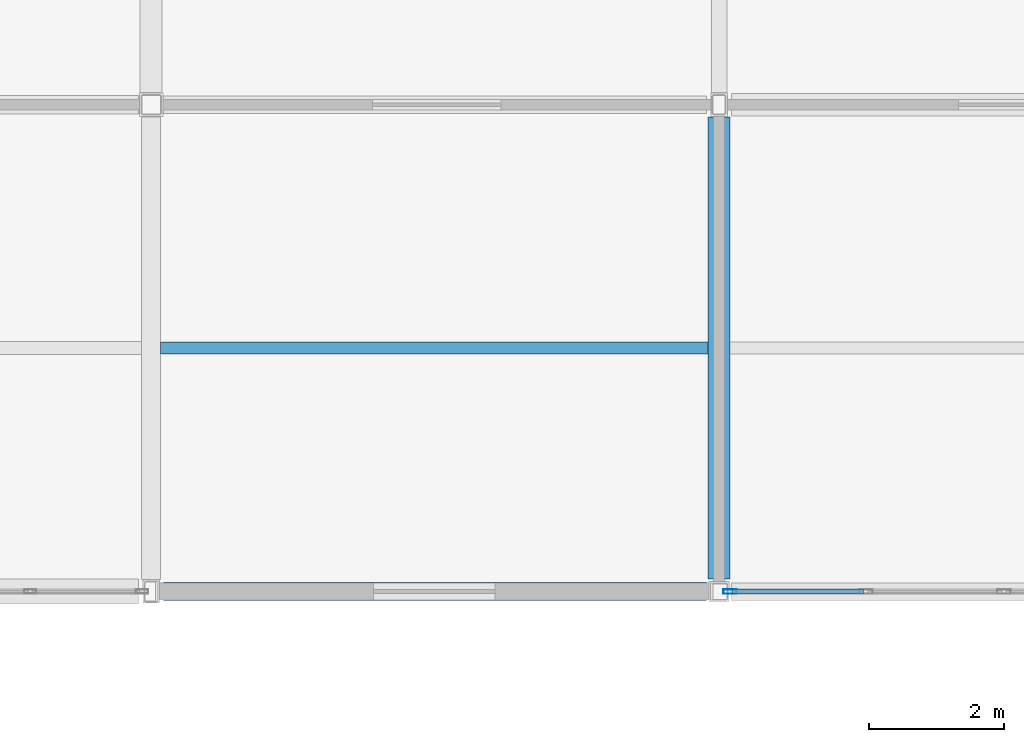
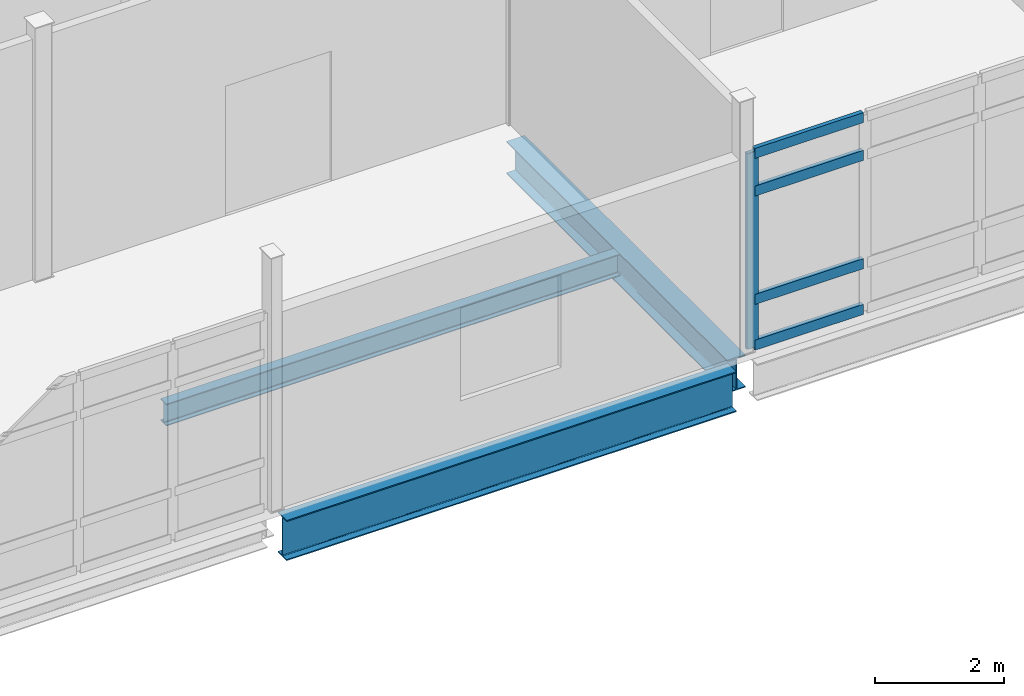
# One storey, part 59 of 153: 5 members, 3 beams, 1 element without a shape of its own.
"""IFC4 building model written with IfcOpenShell, lengths in metres."""

import ifcopenshell
import ifcopenshell.guid

model = None  # the IFC model being written
_history = None  # IfcOwnerHistory: only IFC2X3 demands one
_inside = {}  # id of a spatial element -> (the spatial element, [elements in it])
_under = {}  # id of a project, library or spatial element -> (it, [spatial elements below it])
_declared = {}  # id of a project -> (the project, [libraries it declares])
_typed = {}  # id of a type object -> (the type object, [elements of that type])
_made_of = {}  # id of a material, layer set ... -> (it, [elements and type objects made of it])


def new_model(schema):
    """Start an empty IFC model of exactly this schema.

    Asked for "IFC4X3", IfcOpenShell would pick the latest addendum, in which some entities
    have other attributes; the version numbers below select the first issue.
    IFC2X3 requires an IfcOwnerHistory on every rooted entity: one is made here for all.
    """
    global model, _history
    if schema == "IFC4X3":
        model = ifcopenshell.file(schema_version=(4, 3, 0, 0))
    else:
        model = ifcopenshell.file(schema=schema)
    _inside.clear()
    _under.clear()
    _declared.clear()
    _typed.clear()
    _made_of.clear()
    _history = None
    if model.schema == "IFC2X3":
        org = make("IfcOrganization", Name="unknown")
        user = make(
            "IfcPersonAndOrganization",
            ThePerson=make("IfcPerson", FamilyName="unknown"),
            TheOrganization=org,
        )
        app = make(
            "IfcApplication",
            ApplicationDeveloper=org,
            Version="unknown",
            ApplicationFullName="unknown",
            ApplicationIdentifier="unknown",
        )
        _history = make(
            "IfcOwnerHistory",
            OwningUser=user,
            OwningApplication=app,
            ChangeAction="ADDED",
            CreationDate=0,
        )
    return model


def make(cls, **values):
    """One entity of the class cls with the attributes given. An attribute that is None is left unset."""
    return model.create_entity(
        cls, **{name: value for name, value in values.items() if value is not None}
    )


def rooted(cls, **values):
    """An entity with a GlobalId (a new one), such as an element, a storey or a relation."""
    return make(cls, GlobalId=ifcopenshell.guid.new(), OwnerHistory=_history, **values)


def si_unit(unit_type, name, prefix=None):
    """IfcSIUnit, for example si_unit("LENGTHUNIT", "METRE", prefix="MILLI")."""
    return make("IfcSIUnit", UnitType=unit_type, Prefix=prefix, Name=name)


def assignment(units):
    """IfcUnitAssignment: the units of a project."""
    return None if units is None else make("IfcUnitAssignment", Units=units)


def point(xyz):
    """IfcCartesianPoint."""
    return None if xyz is None else make("IfcCartesianPoint", Coordinates=xyz)


def direction(xyz):
    """IfcDirection."""
    return None if xyz is None else make("IfcDirection", DirectionRatios=xyz)


def frame(location, z_axis=None, x_axis=None):
    """IfcAxis2Placement3D, a coordinate frame: its origin and axes. An axis left out is left unset."""
    return make(
        "IfcAxis2Placement3D",
        Location=point(location),
        Axis=direction(z_axis),
        RefDirection=direction(x_axis),
    )


def frame_2d(location, x_axis=None):
    """IfcAxis2Placement2D, a coordinate frame in the plane: its origin and x axis."""
    return make(
        "IfcAxis2Placement2D", Location=point(location), RefDirection=direction(x_axis)
    )


def origin():
    """The frame at (0, 0, 0) with its axes left unset."""
    return frame((0.0, 0.0, 0.0))


def origin_2d():
    """The frame at (0, 0) in the plane with its x axis left unset."""
    return frame_2d((0.0, 0.0))


def place(relative_to, where):
    """IfcLocalPlacement: puts the frame where relative to a parent placement (None: the world)."""
    return make(
        "IfcLocalPlacement", PlacementRelTo=relative_to, RelativePlacement=where
    )


def context(
    kind, dimensions, precision=None, world=None, true_north=None, identifier=None
):
    """IfcGeometricRepresentationContext, for example the 3D "Model" context."""
    return make(
        "IfcGeometricRepresentationContext",
        ContextIdentifier=identifier,
        ContextType=kind,
        CoordinateSpaceDimension=dimensions,
        Precision=precision,
        WorldCoordinateSystem=world,
        TrueNorth=true_north,
    )


def subcontext(parent, identifier, kind, view, scale=None):
    """IfcGeometricRepresentationSubContext, for example "Body" below "Model"."""
    return make(
        "IfcGeometricRepresentationSubContext",
        ContextIdentifier=identifier,
        ContextType=kind,
        ParentContext=parent,
        TargetScale=scale,
        TargetView=view,
    )


def project(units=None, contexts=None):
    """IfcProject with its units and contexts."""
    return rooted(
        "IfcProject",
        Name="project",
        RepresentationContexts=contexts,
        UnitsInContext=assignment(units),
    )


def spatial(cls, under=None, at=None, **own):
    """A site, building, storey or space (cls), placed at a placement, below another one or the project."""
    s = rooted(cls, ObjectPlacement=at, **own)
    if under is not None:
        _under.setdefault(under.id(), (under, []))[1].append(s)
    return s


def profile(cls, at=None, kind="AREA", **sizes):
    """A parametric profile (cls). Its sizes go by their IFC names, for example OverallWidth=200.0."""
    return make(cls, ProfileType=kind, Position=at, **sizes)


def hollow_rectangle(**sizes):
    """IfcRectangleHollowProfileDef."""
    return profile("IfcRectangleHollowProfileDef", **sizes)


def i_section(**sizes):
    """IfcIShapeProfileDef."""
    return profile("IfcIShapeProfileDef", **sizes)


def extrude(swept, where, along, depth):
    """IfcExtrudedAreaSolid: the profile swept, set in the frame where, extruded along a direction by depth."""
    return make(
        "IfcExtrudedAreaSolid",
        SweptArea=swept,
        Position=where,
        ExtrudedDirection=direction(along),
        Depth=depth,
    )


def shape(context_of_items, identifier, shape_type, items):
    """IfcShapeRepresentation: the items that make up one representation, for example the "Body"."""
    return make(
        "IfcShapeRepresentation",
        ContextOfItems=context_of_items,
        RepresentationIdentifier=identifier,
        RepresentationType=shape_type,
        Items=items,
    )


def material(Name=None, Category=None):
    """IfcMaterial."""
    return make("IfcMaterial", Name=Name, Category=Category)


def layer(
    of_material, thickness, ventilated=None, Name=None, Category=None, Priority=None
):
    """IfcMaterialLayer: one layer of a wall or slab, of a material (None: an air gap)."""
    return make(
        "IfcMaterialLayer",
        Material=of_material,
        LayerThickness=thickness,
        IsVentilated=ventilated,
        Name=Name,
        Category=Category,
        Priority=Priority,
    )


def layer_set(layers, Name=None):
    """IfcMaterialLayerSet."""
    return make("IfcMaterialLayerSet", MaterialLayers=layers, LayerSetName=Name)


def material_profile(
    of_material, cross_section, Name=None, Category=None, Priority=None
):
    """IfcMaterialProfile: a cross section and its material."""
    return make(
        "IfcMaterialProfile",
        Name=Name,
        Material=of_material,
        Profile=cross_section,
        Priority=Priority,
        Category=Category,
    )


def profile_set(profiles, Name=None, composite=None):
    """IfcMaterialProfileSet."""
    return make(
        "IfcMaterialProfileSet",
        Name=Name,
        MaterialProfiles=profiles,
        CompositeProfile=composite,
    )


def made_of(thing, what):
    """Note that an element or type object is made of a material, layer set ...; save() writes the relation."""
    if what is not None:
        _made_of.setdefault(what.id(), (what, []))[1].append(thing)
    return thing


def type_object(cls, material=None, **own):
    """A type object (cls), such as IfcWallType, which elements share."""
    return made_of(rooted(cls, **own), material)


def element(
    cls,
    number,
    at=None,
    inside=None,
    cuts=None,
    type_object=None,
    material=None,
    context=None,
    identifier="Body",
    shape_type=None,
    held_by="IfcProductDefinitionShape",
    body=None,
    shapes=None,
    **own,
):
    """One element of the class cls, such as IfcWall. Its Tag is "e" and its number.

    at: its placement. inside: the storey or other place that contains it. cuts: it is an
    opening in that element (IfcRelVoidsElement). A single representation is given by context,
    identifier, shape_type and body (its items); several are given by shapes. held_by: the class
    of the entity that holds the representations. save() writes the other relations.
    """
    e = rooted(cls, Tag="e%d" % number, ObjectPlacement=at, **own)
    if body is not None:
        shapes = [shape(context, identifier, shape_type, body)]
    if shapes is not None:
        e.Representation = make(held_by, Representations=shapes)
    if inside is not None:
        _inside.setdefault(inside.id(), (inside, []))[1].append(e)
    if cuts is not None:
        rooted(
            "IfcRelVoidsElement", RelatingBuildingElement=cuts, RelatedOpeningElement=e
        )
    if type_object is not None:
        _typed.setdefault(type_object.id(), (type_object, []))[1].append(e)
    return made_of(e, material)


def aggregate(whole, parts):
    """IfcRelAggregates: a whole, such as a stair, and the parts it consists of."""
    return rooted("IfcRelAggregates", RelatingObject=whole, RelatedObjects=parts)


def save(model, path):
    """Write the relations noted so far, then the file.

    IfcRelAggregates (storeys below a building ...), IfcRelContainedInSpatialStructure (elements
    in a storey), IfcRelDefinesByType, IfcRelAssociatesMaterial and IfcRelDeclares: one each for
    every whole, place, type object, material and project.
    """
    for whole, parts in _under.values():
        aggregate(whole, parts)
    for where, things in _inside.values():
        rooted(
            "IfcRelContainedInSpatialStructure",
            RelatedElements=things,
            RelatingStructure=where,
        )
    for kind, things in _typed.values():
        rooted("IfcRelDefinesByType", RelatedObjects=things, RelatingType=kind)
    for what, things in _made_of.values():
        rooted("IfcRelAssociatesMaterial", RelatedObjects=things, RelatingMaterial=what)
    for by, libraries in _declared.values():
        rooted("IfcRelDeclares", RelatingContext=by, RelatedDefinitions=libraries)
    model.write(path)


model = new_model("IFC4")

# Units and contexts
model_context = context("Model", 3, precision=1e-05, world=origin(), true_north=direction((0.0, 1.0)))
body_context = subcontext(model_context, "Body", "Model", "MODEL_VIEW")
ifc_project = project(units=[si_unit("LENGTHUNIT", "METRE"), si_unit("AREAUNIT", "SQUARE_METRE"), si_unit("VOLUMEUNIT", "CUBIC_METRE"), si_unit("PLANEANGLEUNIT", "RADIAN"), si_unit("MASSUNIT", "GRAM", prefix="KILO")], contexts=[model_context])

# Site, building, storey
site_placement = place(None, origin())
site = spatial("IfcSite", under=ifc_project, at=site_placement, CompositionType="ELEMENT")
building_placement = place(site_placement, origin())
building = spatial("IfcBuilding", under=site, at=building_placement, Name="Calvrana Isthmian Art Gallery", CompositionType="ELEMENT")
storey_placement = place(building_placement, frame((0.0, 0.0, 10.199951171875)))
storey = spatial("IfcBuildingStorey", under=building, at=storey_placement, Name="L02", CompositionType="ELEMENT", Elevation=10.199951171875)

# Beams
ifc_material_1 = material(Name="Steel ASTM A992 Gr 50", Category="steel")
ifc_material_profile_1 = material_profile(ifc_material_1, i_section(OverallWidth=0.324951171875, OverallDepth=0.612060546875, WebThickness=0.0126953125, FlangeThickness=0.01904296875, FilletRadius=0.02197265625, at=origin_2d()), Name="W24X104")
ifc_profile_set_1 = profile_set([ifc_material_profile_1], Name="Steel ASTM A992 Gr 50")
beam_type_1 = type_object("IfcBeamType", Name="BM-G-W24X104", PredefinedType="BEAM", material=ifc_profile_set_1)
beam_1_placement = place(storey_placement, frame((30.0, 98.58642578125, -0.571044921875), z_axis=(0.0, 1.0, 0.0), x_axis=(-1.0, 0.0, 0.0)))
element("IfcBeam", 1, at=beam_1_placement, inside=storey, type_object=beam_type_1, Name="Girder Y L02 05/N-O", PredefinedType="BEAM", context=body_context, shape_type="SweptSolid", body=[
    extrude(i_section(OverallWidth=0.324951171875, OverallDepth=0.612060546875, WebThickness=0.0126953125, FlangeThickness=0.01904296875, FilletRadius=0.02197265625, at=origin_2d()), origin(), (0.0, 0.0, 1.0), 6.835693359375),
])
ifc_material_profile_2 = material_profile(ifc_material_1, i_section(OverallWidth=0.26708984375, OverallDepth=0.761962890625, WebThickness=0.014404296875, FlangeThickness=0.021484375, FilletRadius=0.02490234375, at=origin_2d()), Name="W30X116")
ifc_profile_set_2 = profile_set([ifc_material_profile_2], Name="Steel ASTM A992 Gr 50")
beam_type_2 = type_object("IfcBeamType", Name="BM-G-W30X116", PredefinedType="BEAM", material=ifc_profile_set_2)
beam_2_placement = place(storey_placement, frame((21.783935546875, 98.39990234375, -0.64599609375), z_axis=(1.0, 0.0, 0.0), x_axis=(0.0, 1.0, 0.0)))
element("IfcBeam", 2, at=beam_2_placement, inside=storey, type_object=beam_type_2, Name="Girder X L02 04-05/N", PredefinedType="BEAM", context=body_context, shape_type="SweptSolid", body=[
    extrude(i_section(OverallWidth=0.26708984375, OverallDepth=0.761962890625, WebThickness=0.014404296875, FlangeThickness=0.021484375, FilletRadius=0.02490234375, at=origin_2d()), origin(), (0.0, 0.0, 1.0), 8.029541015625),
])
ifc_material_profile_3 = material_profile(ifc_material_1, i_section(OverallWidth=0.179931640625, OverallDepth=0.4140625, WebThickness=0.009765625, FlangeThickness=0.01611328125, FilletRadius=0.01806640625, at=origin_2d()), Name="W16X50")
ifc_profile_set_3 = profile_set([ifc_material_profile_3], Name="Steel ASTM A992 Gr 50")
beam_type_3 = type_object("IfcBeamType", Name="BM-J-W16X50", PredefinedType="JOIST", material=ifc_profile_set_3)
beam_3_placement = place(storey_placement, frame((21.739501953125, 102.0, -0.471923828125), z_axis=(1.0, 0.0, 0.0), x_axis=(0.0, 1.0, 0.0)))
element("IfcBeam", 3, at=beam_3_placement, inside=storey, type_object=beam_type_3, Name="Composite joist L02 bay 03-13", PredefinedType="JOIST", context=body_context, shape_type="SweptSolid", body=[
    extrude(i_section(OverallWidth=0.179931640625, OverallDepth=0.4140625, WebThickness=0.009765625, FlangeThickness=0.01611328125, FilletRadius=0.01806640625, at=origin_2d()), origin(), (0.0, 0.0, 1.0), 8.097900390625),
])

# Curtain wall, members
ifc_material_2 = material(Name="Anodized bronze aluminium 6063-T6", Category="aluminium")
ifc_layer = layer(ifc_material_2, 0.179931640625, Name="Anodized bronze aluminium 6063-T6")
ifc_layer_set = layer_set([ifc_layer], Name="Anodized bronze aluminium 6063-T6")
curtain_wall_type = type_object("IfcCurtainWallType", Name="CW-STICK-082X37", PredefinedType="NOTDEFINED", material=ifc_layer_set)
curtain_wall_placement = place(storey_placement, origin())
curtain_wall = element("IfcCurtainWall", 4, at=curtain_wall_placement, inside=storey, type_object=curtain_wall_type, Name="Curtain wall CW-159", PredefinedType="NOTDEFINED")
ifc_material_profile_4 = material_profile(ifc_material_2, hollow_rectangle(XDim=0.070068359375, YDim=0.199951171875, WallThickness=0.0048828125, at=origin_2d()), Name="CWM70X200")
ifc_profile_set_4 = profile_set([ifc_material_profile_4], Name="Anodized bronze aluminium 6063-T6")
member_type_1 = type_object("IfcMemberType", Name="CWM-CWM70X200", PredefinedType="MULLION", material=ifc_profile_set_4)
member_1_placement = place(storey_placement, frame((30.162109375, 98.39990234375, 0.0), z_axis=(0.0, 0.0, 1.0), x_axis=(0.0, -1.0, 0.0)))
member_1 = element("IfcMember", 5, at=member_1_placement, type_object=member_type_1, Name="CW-159 mullion 5", PredefinedType="MULLION", context=body_context, shape_type="SweptSolid", body=[
    extrude(hollow_rectangle(XDim=0.070068359375, YDim=0.199951171875, WallThickness=0.0048828125, at=origin_2d()), origin(), (0.0, 0.0, 1.0), 3.695068359375),
])
ifc_material_profile_5 = material_profile(ifc_material_2, hollow_rectangle(XDim=0.074951171875, YDim=0.18994140625, WallThickness=0.00439453125, at=origin_2d()), Name="CWT75X190")
ifc_profile_set_5 = profile_set([ifc_material_profile_5], Name="Anodized bronze aluminium 6063-T6")
member_type_2 = type_object("IfcMemberType", Name="CWT-CWT75X190", PredefinedType="USERDEFINED", material=ifc_profile_set_5)
member_2_placement = place(storey_placement, frame((32.134765625, 98.39990234375, 0.03759765625), z_axis=(-1.0, 0.0, 0.0), x_axis=(0.0, -1.0, 0.0)))
member_2 = element("IfcMember", 6, at=member_2_placement, type_object=member_type_2, Name="CW-159 transom 4.1", ObjectType="TRANSOM", PredefinedType="USERDEFINED", context=body_context, shape_type="SweptSolid", body=[
    extrude(hollow_rectangle(XDim=0.074951171875, YDim=0.18994140625, WallThickness=0.00439453125, at=origin_2d()), origin(), (0.0, 0.0, 1.0), 1.937744140625),
])
member_3_placement = place(storey_placement, frame((32.134765625, 98.39990234375, 0.900146484375), z_axis=(-1.0, 0.0, 0.0), x_axis=(0.0, -1.0, 0.0)))
member_3 = element("IfcMember", 7, at=member_3_placement, type_object=member_type_2, Name="CW-159 transom 4.2", ObjectType="TRANSOM", PredefinedType="USERDEFINED", context=body_context, shape_type="SweptSolid", body=[
    extrude(hollow_rectangle(XDim=0.074951171875, YDim=0.18994140625, WallThickness=0.00439453125, at=origin_2d()), origin(), (0.0, 0.0, 1.0), 1.937744140625),
])
member_4_placement = place(storey_placement, frame((32.134765625, 98.39990234375, 2.945068359375), z_axis=(-1.0, 0.0, 0.0), x_axis=(0.0, -1.0, 0.0)))
member_4 = element("IfcMember", 8, at=member_4_placement, type_object=member_type_2, Name="CW-159 transom 4.3", ObjectType="TRANSOM", PredefinedType="USERDEFINED", context=body_context, shape_type="SweptSolid", body=[
    extrude(hollow_rectangle(XDim=0.074951171875, YDim=0.18994140625, WallThickness=0.00439453125, at=origin_2d()), origin(), (0.0, 0.0, 1.0), 1.937744140625),
])
member_5_placement = place(storey_placement, frame((32.134765625, 98.39990234375, 3.657470703125), z_axis=(-1.0, 0.0, 0.0), x_axis=(0.0, -1.0, 0.0)))
member_5 = element("IfcMember", 9, at=member_5_placement, type_object=member_type_2, Name="CW-159 transom 4.4", ObjectType="TRANSOM", PredefinedType="USERDEFINED", context=body_context, shape_type="SweptSolid", body=[
    extrude(hollow_rectangle(XDim=0.074951171875, YDim=0.18994140625, WallThickness=0.00439453125, at=origin_2d()), origin(), (0.0, 0.0, 1.0), 1.937744140625),
])
aggregate(curtain_wall, [member_1, member_2, member_3, member_4, member_5])

save(model, "model.ifc")
